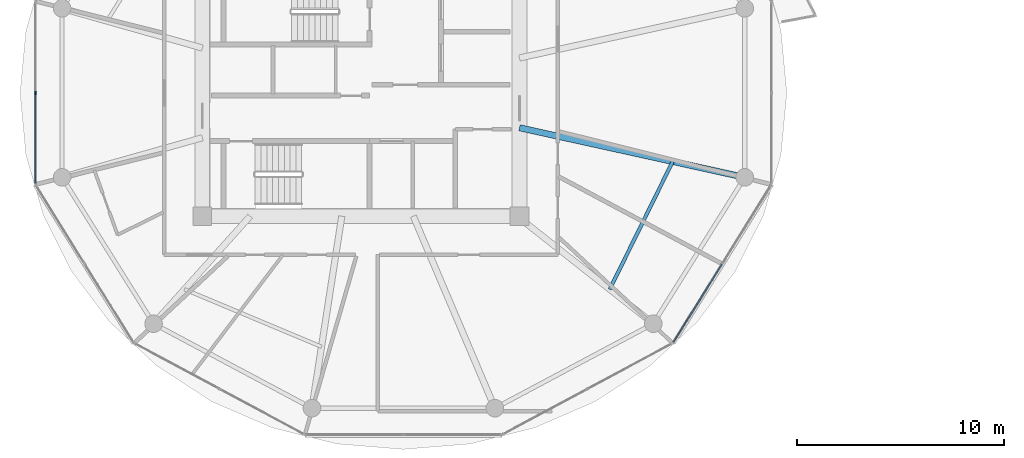
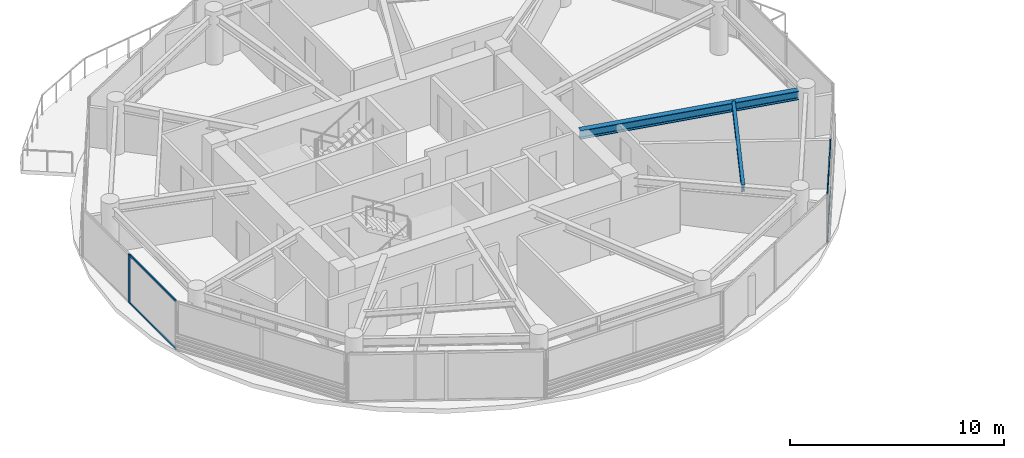
# One storey, part 3 of 23: 5 members, 2 beams, 2 elements without a shape of their own.
"""IFC4 building model written with IfcOpenShell, lengths in metres."""

from ifc_helpers import new_model, si_unit, direction, frame, origin, origin_2d, place, context, subcontext, project, spatial, rectangle, i_section, extrude, source, transform, mapped, material, layer, layer_set, material_profile, profile_set, type_object, type_shapes, element, aggregate, save


model = new_model("IFC4")

# Units and contexts
model_context = context("Model", 3, precision=1e-05, world=origin(), true_north=direction((0.0, 1.0)))
body_context = subcontext(model_context, "Body", "Model", "MODEL_VIEW")
ifc_project = project(units=[si_unit("LENGTHUNIT", "METRE"), si_unit("AREAUNIT", "SQUARE_METRE"), si_unit("VOLUMEUNIT", "CUBIC_METRE"), si_unit("PLANEANGLEUNIT", "RADIAN"), si_unit("MASSUNIT", "GRAM", prefix="KILO")], contexts=[model_context])

# Site, building, storey
site_placement = place(None, origin())
site = spatial("IfcSite", under=ifc_project, at=site_placement, CompositionType="ELEMENT")
building_placement = place(site_placement, origin())
building = spatial("IfcBuilding", under=site, at=building_placement, Name="Norrkilde Senior Care Towers", CompositionType="ELEMENT")
storey_placement = place(building_placement, frame((0.0, 0.0, 81.0)))
storey = spatial("IfcBuildingStorey", under=building, at=storey_placement, Name="L24", CompositionType="ELEMENT", Elevation=81.0)

# Beams
ifc_material_1 = material(Name="Steel S355", Category="steel")
ifc_material_profile_1 = material_profile(ifc_material_1, i_section(OverallWidth=0.300048828125, OverallDepth=0.5, WebThickness=0.014404296875, FlangeThickness=0.028076171875, FilletRadius=0.027099609375, at=origin_2d()), Name="HEB 500")
ifc_profile_set_1 = profile_set([ifc_material_profile_1], Name="Steel S355")
beam_type_1 = type_object("IfcBeamType", Name="Radial Floor Beam Z2 HEB500", PredefinedType="BEAM", material=ifc_profile_set_1)
shared_shape_1 = source(origin(), body_context, "Body", "SweptSolid", [
    extrude(i_section(OverallWidth=0.300048828125, OverallDepth=0.5, WebThickness=0.014404296875, FlangeThickness=0.028076171875, FilletRadius=0.027099609375, at=origin_2d()), origin(), (0.0, 0.0, 1.0), 10.744384765625),
])
type_shapes(beam_type_1, [shared_shape_1])
beam_1_placement = place(storey_placement, frame((-20.35009765625, -1.683837890625, 2.5400390625), z_axis=(0.976618711422, -0.214978818724, 0.0), x_axis=(0.214978818724, 0.976618711422, 0.0)))
element("IfcBeam", 1, at=beam_1_placement, inside=storey, type_object=beam_type_1, Name="L24 Drum W Radial Floor Beam 12", PredefinedType="BEAM", context=body_context, shape_type="MappedRepresentation", body=[
    mapped(shared_shape_1, transform((0.0, 0.0, 0.0), x_axis=(1.0, 0.0, 0.0), y_axis=(0.0, 1.0, 0.0), z_axis=(0.0, 0.0, 1.0), scale=1.0)),
])
ifc_material_profile_2 = material_profile(ifc_material_1, i_section(OverallWidth=0.169921875, OverallDepth=0.360107421875, WebThickness=0.008056640625, FlangeThickness=0.0126953125, FilletRadius=0.01806640625, at=origin_2d()), Name="IPE 360")
ifc_profile_set_2 = profile_set([ifc_material_profile_2], Name="Steel S355")
beam_type_2 = type_object("IfcBeamType", Name="Secondary Floor Joist IPE360", PredefinedType="JOIST", material=ifc_profile_set_2)
shared_shape_2 = source(origin(), body_context, "Body", "SweptSolid", [
    extrude(i_section(OverallWidth=0.169921875, OverallDepth=0.360107421875, WebThickness=0.008056640625, FlangeThickness=0.0126953125, FilletRadius=0.01806640625, at=origin_2d()), origin(), (0.0, 0.0, 1.0), 6.87353515625),
])
type_shapes(beam_type_2, [shared_shape_2])
beam_2_placement = place(storey_placement, frame((-15.99609375, -9.47705078125, 2.610107421875), z_axis=(0.44184939592, 0.897089243791, 0.0), x_axis=(-0.897089243791, 0.44184939592, 0.0)))
element("IfcBeam", 2, at=beam_2_placement, inside=storey, type_object=beam_type_2, Name="L24 Drum W Secondary Floor Joist 4", PredefinedType="JOIST", context=body_context, shape_type="MappedRepresentation", body=[
    mapped(shared_shape_2, transform((0.0, 0.0, 0.0), x_axis=(1.0, 0.0, 0.0), y_axis=(0.0, 1.0, 0.0), z_axis=(0.0, 0.0, 1.0), scale=1.0)),
])

# Curtain wall, member
ifc_material_2 = material(Name="Triple Low-E Insulated Glazing", Category="glass")
ifc_layer = layer(ifc_material_2, 0.195068359375)
ifc_layer_set = layer_set([ifc_layer], Name="Triple Low-E Insulated Glazing")
curtain_wall_type = type_object("IfcCurtainWallType", Name="CW3 Zone 2 Assisted Living Curtain Wall", PredefinedType="NOTDEFINED", material=ifc_layer_set)
curtain_wall_1_placement = place(storey_placement, origin())
curtain_wall_1 = element("IfcCurtainWall", 3, at=curtain_wall_1_placement, inside=storey, type_object=curtain_wall_type, Name="L24 Drum W Curtain Wall 05", PredefinedType="NOTDEFINED")
ifc_material_3 = material(Name="Anodised Aluminium", Category="aluminium")
ifc_material_profile_3 = material_profile(ifc_material_3, rectangle(XDim=0.06494140625, YDim=0.159912109375, at=origin_2d()), Name="ALU MULL 65x160")
ifc_profile_set_3 = profile_set([ifc_material_profile_3], Name="Anodised Aluminium")
member_type_1 = type_object("IfcMemberType", Name="Curtain Wall Mullion Z1-Z2 65x160", PredefinedType="MULLION", material=ifc_profile_set_3)
shared_shape_3 = source(origin(), body_context, "Body", "SweptSolid", [
    extrude(rectangle(XDim=0.06494140625, YDim=0.159912109375, at=origin_2d()), origin(), (0.0, 0.0, 1.0), 2.7900390625),
])
type_shapes(member_type_1, [shared_shape_3])
member_1_placement = place(storey_placement, frame((-43.70361328125, 0.0, 0.0), z_axis=(0.0, 0.0, 1.0), x_axis=(-1.0, 0.0, 0.0)))
member_1 = element("IfcMember", 4, at=member_1_placement, type_object=member_type_1, Name="CW-3 mullion 2", PredefinedType="MULLION", context=body_context, shape_type="MappedRepresentation", body=[
    mapped(shared_shape_3, transform((0.0, 0.0, 0.0), x_axis=(1.0, 0.0, 0.0), y_axis=(0.0, 1.0, 0.0), z_axis=(0.0, 0.0, 1.0), scale=1.0)),
])

# Curtain wall, members
curtain_wall_2_placement = place(storey_placement, origin())
curtain_wall_2 = element("IfcCurtainWall", 5, at=curtain_wall_2_placement, inside=storey, type_object=curtain_wall_type, Name="L24 Drum W Curtain Wall 10", PredefinedType="NOTDEFINED")
ifc_material_profile_4 = material_profile(ifc_material_3, rectangle(XDim=0.06005859375, YDim=0.1201171875, at=origin_2d()), Name="ALU TRAN 60x120")
ifc_profile_set_4 = profile_set([ifc_material_profile_4], Name="Anodised Aluminium")
member_type_2 = type_object("IfcMemberType", Name="Curtain Wall Transom Typical 60x120", PredefinedType="USERDEFINED", material=ifc_profile_set_4)
shared_shape_4 = source(origin(), body_context, "Body", "SweptSolid", [
    extrude(rectangle(XDim=0.06005859375, YDim=0.1201171875, at=origin_2d()), origin(), (0.0, 0.0, 1.0), 4.40966796875),
])
member_2_placement = place(storey_placement, frame((-10.592041015625, -8.276611328125, 0.030029296875), z_axis=(-0.527737675578, -0.849407408594, 0.0), x_axis=(0.849407408594, -0.527737675578, 0.0)))
member_2 = element("IfcMember", 6, at=member_2_placement, type_object=member_type_2, Name="CW-3 transom 2.1", ObjectType="TRANSOM", PredefinedType="USERDEFINED", context=body_context, shape_type="MappedRepresentation", body=[
    mapped(shared_shape_4, transform((0.0, 0.0, 0.0), x_axis=(1.0, 0.0, 0.0), y_axis=(0.0, 1.0, 0.0), z_axis=(0.0, 0.0, 1.0), scale=1.0)),
])
member_3_placement = place(storey_placement, frame((-10.592041015625, -8.276611328125, 2.760009765625), z_axis=(-0.527737675578, -0.849407408594, 0.0), x_axis=(0.849407408594, -0.527737675578, 0.0)))
member_3 = element("IfcMember", 7, at=member_3_placement, type_object=member_type_2, Name="CW-3 transom 2.2", ObjectType="TRANSOM", PredefinedType="USERDEFINED", context=body_context, shape_type="MappedRepresentation", body=[
    mapped(shared_shape_4, transform((0.0, 0.0, 0.0), x_axis=(1.0, 0.0, 0.0), y_axis=(0.0, 1.0, 0.0), z_axis=(0.0, 0.0, 1.0), scale=1.0)),
])
aggregate(curtain_wall_2, [member_2, member_3])

# Member
shared_shape_5 = source(origin(), body_context, "Body", "SweptSolid", [
    extrude(rectangle(XDim=0.06005859375, YDim=0.1201171875, at=origin_2d()), origin(), (0.0, 0.0, 1.0), 4.3232421875),
])
type_shapes(member_type_2, [shared_shape_4, shared_shape_5])
member_4_placement = place(storey_placement, frame((-43.70361328125, -4.355712890625, 0.030029296875), z_axis=(0.0, 1.0, 0.0), x_axis=(-1.0, 0.0, 0.0)))
member_4 = element("IfcMember", 8, at=member_4_placement, type_object=member_type_2, Name="CW-3 transom 1.1", ObjectType="TRANSOM", PredefinedType="USERDEFINED", context=body_context, shape_type="MappedRepresentation", body=[
    mapped(shared_shape_5, transform((0.0, 0.0, 0.0), x_axis=(1.0, 0.0, 0.0), y_axis=(0.0, 1.0, 0.0), z_axis=(0.0, 0.0, 1.0), scale=1.0)),
])

member_5_placement = place(storey_placement, frame((-43.70361328125, -4.355712890625, 2.760009765625), z_axis=(0.0, 1.0, 0.0), x_axis=(-1.0, 0.0, 0.0)))
member_5 = element("IfcMember", 9, at=member_5_placement, type_object=member_type_2, Name="CW-3 transom 1.2", ObjectType="TRANSOM", PredefinedType="USERDEFINED", context=body_context, shape_type="MappedRepresentation", body=[
    mapped(shared_shape_5, transform((0.0, 0.0, 0.0), x_axis=(1.0, 0.0, 0.0), y_axis=(0.0, 1.0, 0.0), z_axis=(0.0, 0.0, 1.0), scale=1.0)),
])

aggregate(curtain_wall_1, [member_1, member_4, member_5])

save(model, "model.ifc")
